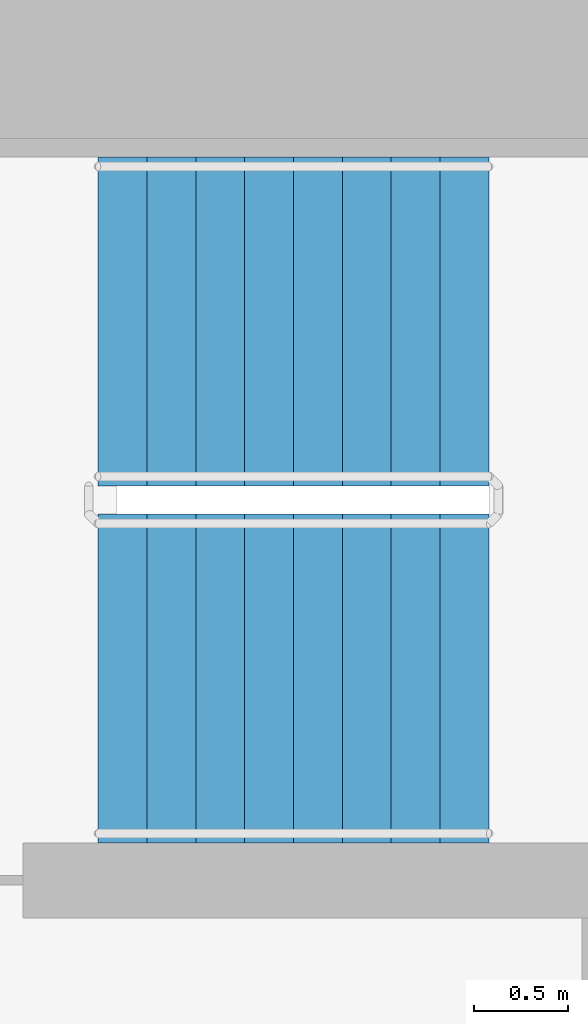
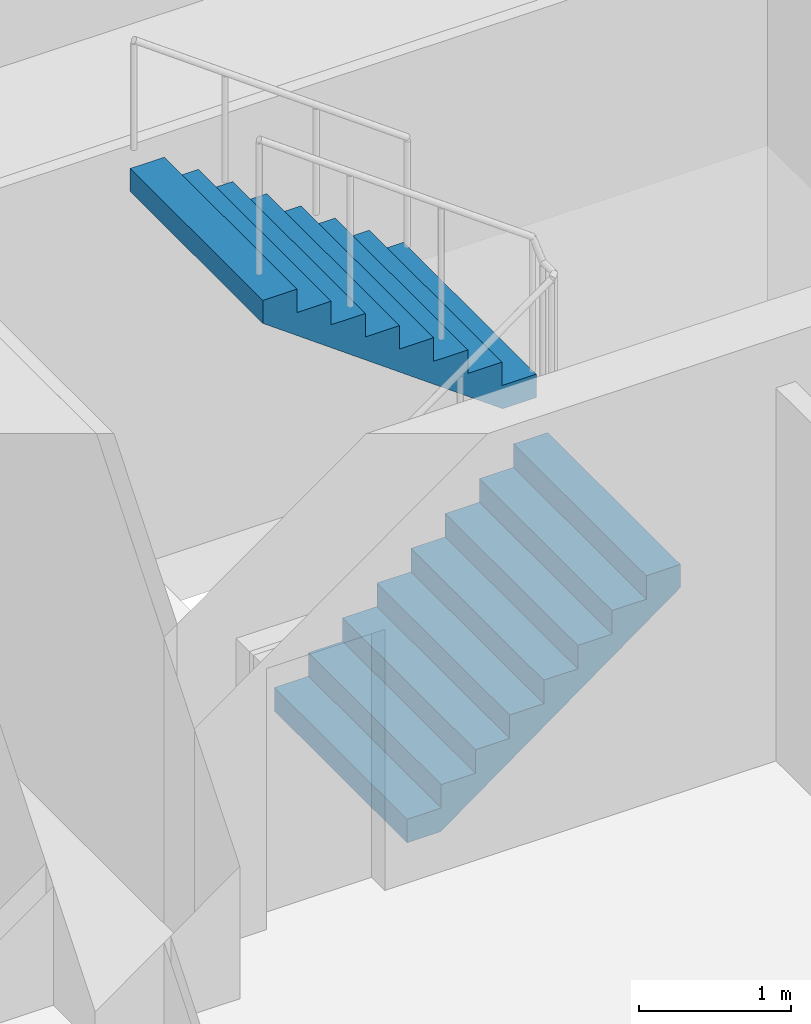
# One storey, part 19 of 24: 2 stair flights, 1 element without a shape of its own.
"""IFC4 building model written with IfcOpenShell, lengths in metres."""

from ifc_helpers import new_model, si_unit, direction, frame, origin, place, context, subcontext, project, spatial, faceted_brep, material, type_object, element, aggregate, save


model = new_model("IFC4")

# Units and contexts
model_context = context("Model", 3, precision=1e-05, world=origin(), true_north=direction((0.0, 1.0)))
body_context = subcontext(model_context, "Body", "Model", "MODEL_VIEW")
ifc_project = project(units=[si_unit("LENGTHUNIT", "METRE"), si_unit("AREAUNIT", "SQUARE_METRE"), si_unit("VOLUMEUNIT", "CUBIC_METRE"), si_unit("PLANEANGLEUNIT", "RADIAN"), si_unit("MASSUNIT", "GRAM", prefix="KILO")], contexts=[model_context])

# Site, building, storey
site_placement = place(None, origin())
site = spatial("IfcSite", under=ifc_project, at=site_placement, CompositionType="ELEMENT")
building_placement = place(site_placement, origin())
building = spatial("IfcBuilding", under=site, at=building_placement, Name="Ipe Terrace Towers", CompositionType="ELEMENT")
storey_placement = place(building_placement, frame((0.0, 0.0, 38.10009765625)))
storey = spatial("IfcBuildingStorey", under=building, at=storey_placement, Name="L09", CompositionType="ELEMENT", Elevation=38.10009765625)

# Stair, stair flights
ifc_material_1 = material(Name="Concrete C30/37", Category="concrete")
stair_type = type_object("IfcStairType", Name="Protected exit stair", PredefinedType="HALF_TURN_STAIR", material=ifc_material_1)
stair_placement = place(storey_placement, origin())
stair = element("IfcStair", 1, at=stair_placement, inside=storey, type_object=stair_type, Name="L09 Exit stair T1-C1", PredefinedType="HALF_TURN_STAIR")
ifc_material_2 = material(Name="Concrete C30/37", Category="concrete")
stair_flight_type = type_object("IfcStairFlightType", Name="Exit stair flight 1750", PredefinedType="STRAIGHT", material=ifc_material_2)
stair_flight_1_placement = place(storey_placement, frame((-26.300048828125, 2.77490234375, 0.0), z_axis=(0.0, 0.0, 1.0), x_axis=(1.0, 0.0, 0.0)))
stair_flight_1 = element("IfcStairFlight", 2, at=stair_flight_1_placement, type_object=stair_flight_type, Name="T1-ST1 flight 1", NumberOfRisers=9, NumberOfTreads=8, PredefinedType="STRAIGHT", RiserHeight=0.188888889, TreadLength=0.26, context=body_context, shape_type="Brep", body=[
    faceted_brep([(0.255126953125, -0.875, 0.0), (2.080078125, -0.875, 1.325927734375), (2.080078125, -0.875, 1.51123046875), (1.820068359375, -0.875, 1.51123046875), (1.820068359375, -0.875, 1.322265625), (1.56005859375, -0.875, 1.322265625), (1.56005859375, -0.875, 1.13330078125), (1.300048828125, -0.875, 1.13330078125), (1.300048828125, -0.875, 0.9443359375), (1.0400390625, -0.875, 0.9443359375), (1.0400390625, -0.875, 0.755615234375), (0.780029296875, -0.875, 0.755615234375), (0.780029296875, -0.875, 0.566650390625), (0.52001953125, -0.875, 0.566650390625), (0.52001953125, -0.875, 0.377685546875), (0.260009765625, -0.875, 0.377685546875), (0.260009765625, -0.875, 0.18896484375), (0.0, -0.875, 0.18896484375), (0.0, -0.875, 0.0), (0.0, 0.875, 0.0), (0.0, 0.875, 0.18896484375), (0.260009765625, 0.875, 0.18896484375), (0.260009765625, 0.875, 0.377685546875), (0.52001953125, 0.875, 0.377685546875), (0.52001953125, 0.875, 0.566650390625), (0.780029296875, 0.875, 0.566650390625), (0.780029296875, 0.875, 0.755615234375), (1.0400390625, 0.875, 0.755615234375), (1.0400390625, 0.875, 0.9443359375), (1.300048828125, 0.875, 0.9443359375), (1.300048828125, 0.875, 1.13330078125), (1.56005859375, 0.875, 1.13330078125), (1.56005859375, 0.875, 1.322265625), (1.820068359375, 0.875, 1.322265625), (1.820068359375, 0.875, 1.51123046875), (2.080078125, 0.875, 1.51123046875), (2.080078125, 0.875, 1.325927734375), (0.255126953125, 0.875, 0.0), (0.0, -0.300048828125, 0.18896484375), (0.0, -0.1201171875, 0.18896484375), (0.0, -0.06005859375, 0.18896484375), (0.0, -0.030029296875, 0.18896484375), (0.0, -0.010009765625, 0.18896484375), (0.0, 0.0, 0.18896484375), (0.0, 0.010009765625, 0.18896484375), (0.0, 0.030029296875, 0.18896484375), (0.0, 0.06005859375, 0.18896484375), (0.0, 0.1201171875, 0.18896484375), (0.0, 0.300048828125, 0.18896484375), (0.0, 0.300048828125, 0.0), (0.0, 0.1201171875, 0.0), (0.0, 0.06005859375, 0.0), (0.0, 0.030029296875, 0.0), (0.0, 0.010009765625, 0.0), (0.0, 0.0, 0.0), (0.0, -0.010009765625, 0.0), (0.0, -0.030029296875, 0.0), (0.0, -0.06005859375, 0.0), (0.0, -0.1201171875, 0.0), (0.0, -0.300048828125, 0.0), (0.260009765625, -0.300048828125, 0.18896484375), (0.260009765625, -0.1201171875, 0.18896484375), (0.260009765625, -0.06005859375, 0.18896484375), (0.260009765625, -0.030029296875, 0.18896484375), (0.260009765625, -0.010009765625, 0.18896484375), (0.260009765625, 0.0, 0.18896484375), (0.260009765625, 0.010009765625, 0.18896484375), (0.260009765625, 0.030029296875, 0.18896484375), (0.260009765625, 0.06005859375, 0.18896484375), (0.260009765625, 0.1201171875, 0.18896484375), (0.260009765625, 0.300048828125, 0.18896484375), (0.260009765625, -0.300048828125, 0.377685546875), (0.260009765625, -0.1201171875, 0.377685546875), (0.260009765625, -0.06005859375, 0.377685546875), (0.260009765625, -0.030029296875, 0.377685546875), (0.260009765625, -0.010009765625, 0.377685546875), (0.260009765625, 0.0, 0.377685546875), (0.260009765625, 0.010009765625, 0.377685546875), (0.260009765625, 0.030029296875, 0.377685546875), (0.260009765625, 0.06005859375, 0.377685546875), (0.260009765625, 0.1201171875, 0.377685546875), (0.260009765625, 0.300048828125, 0.377685546875), (0.52001953125, -0.300048828125, 0.377685546875), (0.52001953125, -0.1201171875, 0.377685546875), (0.52001953125, -0.06005859375, 0.377685546875), (0.52001953125, -0.030029296875, 0.377685546875), (0.52001953125, -0.010009765625, 0.377685546875), (0.52001953125, 0.0, 0.377685546875), (0.52001953125, 0.010009765625, 0.377685546875), (0.52001953125, 0.030029296875, 0.377685546875), (0.52001953125, 0.06005859375, 0.377685546875), (0.52001953125, 0.1201171875, 0.377685546875), (0.52001953125, 0.300048828125, 0.377685546875), (0.52001953125, -0.300048828125, 0.566650390625), (0.52001953125, -0.1201171875, 0.566650390625), (0.52001953125, -0.06005859375, 0.566650390625), (0.52001953125, -0.030029296875, 0.566650390625), (0.52001953125, -0.010009765625, 0.566650390625), (0.52001953125, 0.0, 0.566650390625), (0.52001953125, 0.010009765625, 0.566650390625), (0.52001953125, 0.030029296875, 0.566650390625), (0.52001953125, 0.06005859375, 0.566650390625), (0.52001953125, 0.1201171875, 0.566650390625), (0.52001953125, 0.300048828125, 0.566650390625), (0.780029296875, -0.300048828125, 0.566650390625), (0.780029296875, -0.1201171875, 0.566650390625), (0.780029296875, -0.06005859375, 0.566650390625), (0.780029296875, -0.030029296875, 0.566650390625), (0.780029296875, -0.010009765625, 0.566650390625), (0.780029296875, 0.0, 0.566650390625), (0.780029296875, 0.010009765625, 0.566650390625), (0.780029296875, 0.030029296875, 0.566650390625), (0.780029296875, 0.06005859375, 0.566650390625), (0.780029296875, 0.1201171875, 0.566650390625), (0.780029296875, 0.300048828125, 0.566650390625), (0.780029296875, -0.300048828125, 0.755615234375), (0.780029296875, -0.1201171875, 0.755615234375), (0.780029296875, -0.06005859375, 0.755615234375), (0.780029296875, -0.030029296875, 0.755615234375), (0.780029296875, -0.010009765625, 0.755615234375), (0.780029296875, 0.0, 0.755615234375), (0.780029296875, 0.010009765625, 0.755615234375), (0.780029296875, 0.030029296875, 0.755615234375), (0.780029296875, 0.06005859375, 0.755615234375), (0.780029296875, 0.1201171875, 0.755615234375), (0.780029296875, 0.300048828125, 0.755615234375), (1.0400390625, -0.300048828125, 0.755615234375), (1.0400390625, -0.1201171875, 0.755615234375), (1.0400390625, -0.06005859375, 0.755615234375), (1.0400390625, -0.030029296875, 0.755615234375), (1.0400390625, -0.010009765625, 0.755615234375), (1.0400390625, 0.0, 0.755615234375), (1.0400390625, 0.010009765625, 0.755615234375), (1.0400390625, 0.030029296875, 0.755615234375), (1.0400390625, 0.06005859375, 0.755615234375), (1.0400390625, 0.1201171875, 0.755615234375), (1.0400390625, 0.300048828125, 0.755615234375), (1.0400390625, -0.300048828125, 0.9443359375), (1.0400390625, -0.1201171875, 0.9443359375), (1.0400390625, -0.06005859375, 0.9443359375), (1.0400390625, -0.030029296875, 0.9443359375), (1.0400390625, -0.010009765625, 0.9443359375), (1.0400390625, 0.0, 0.9443359375), (1.0400390625, 0.010009765625, 0.9443359375), (1.0400390625, 0.030029296875, 0.9443359375), (1.0400390625, 0.06005859375, 0.9443359375), (1.0400390625, 0.1201171875, 0.9443359375), (1.0400390625, 0.300048828125, 0.9443359375), (1.300048828125, -0.300048828125, 0.9443359375), (1.300048828125, -0.1201171875, 0.9443359375), (1.300048828125, -0.06005859375, 0.9443359375), (1.300048828125, -0.030029296875, 0.9443359375), (1.300048828125, -0.010009765625, 0.9443359375), (1.300048828125, 0.0, 0.9443359375), (1.300048828125, 0.010009765625, 0.9443359375), (1.300048828125, 0.030029296875, 0.9443359375), (1.300048828125, 0.06005859375, 0.9443359375), (1.300048828125, 0.1201171875, 0.9443359375), (1.300048828125, 0.300048828125, 0.9443359375), (1.300048828125, -0.300048828125, 1.13330078125), (1.300048828125, -0.1201171875, 1.13330078125), (1.300048828125, -0.06005859375, 1.13330078125), (1.300048828125, -0.030029296875, 1.13330078125), (1.300048828125, -0.010009765625, 1.13330078125), (1.300048828125, 0.0, 1.13330078125), (1.300048828125, 0.010009765625, 1.13330078125), (1.300048828125, 0.030029296875, 1.13330078125), (1.300048828125, 0.06005859375, 1.13330078125), (1.300048828125, 0.1201171875, 1.13330078125), (1.300048828125, 0.300048828125, 1.13330078125), (1.56005859375, -0.300048828125, 1.13330078125), (1.56005859375, -0.1201171875, 1.13330078125), (1.56005859375, -0.06005859375, 1.13330078125), (1.56005859375, -0.030029296875, 1.13330078125), (1.56005859375, -0.010009765625, 1.13330078125), (1.56005859375, 0.0, 1.13330078125), (1.56005859375, 0.010009765625, 1.13330078125), (1.56005859375, 0.030029296875, 1.13330078125), (1.56005859375, 0.06005859375, 1.13330078125), (1.56005859375, 0.1201171875, 1.13330078125), (1.56005859375, 0.300048828125, 1.13330078125), (1.56005859375, -0.300048828125, 1.322265625), (1.56005859375, -0.1201171875, 1.322265625), (1.56005859375, -0.06005859375, 1.322265625), (1.56005859375, -0.030029296875, 1.322265625), (1.56005859375, -0.010009765625, 1.322265625), (1.56005859375, 0.0, 1.322265625), (1.56005859375, 0.010009765625, 1.322265625), (1.56005859375, 0.030029296875, 1.322265625), (1.56005859375, 0.06005859375, 1.322265625), (1.56005859375, 0.1201171875, 1.322265625), (1.56005859375, 0.300048828125, 1.322265625), (1.820068359375, -0.300048828125, 1.322265625), (1.820068359375, -0.1201171875, 1.322265625), (1.820068359375, -0.06005859375, 1.322265625), (1.820068359375, -0.030029296875, 1.322265625), (1.820068359375, -0.010009765625, 1.322265625), (1.820068359375, 0.0, 1.322265625), (1.820068359375, 0.010009765625, 1.322265625), (1.820068359375, 0.030029296875, 1.322265625), (1.820068359375, 0.06005859375, 1.322265625), (1.820068359375, 0.1201171875, 1.322265625), (1.820068359375, 0.300048828125, 1.322265625), (1.820068359375, -0.300048828125, 1.51123046875), (1.820068359375, -0.1201171875, 1.51123046875), (1.820068359375, -0.06005859375, 1.51123046875), (1.820068359375, -0.030029296875, 1.51123046875), (1.820068359375, -0.010009765625, 1.51123046875), (1.820068359375, 0.0, 1.51123046875), (1.820068359375, 0.010009765625, 1.51123046875), (1.820068359375, 0.030029296875, 1.51123046875), (1.820068359375, 0.06005859375, 1.51123046875), (1.820068359375, 0.1201171875, 1.51123046875), (1.820068359375, 0.300048828125, 1.51123046875), (2.080078125, -0.300048828125, 1.51123046875), (2.080078125, -0.1201171875, 1.51123046875), (2.080078125, -0.06005859375, 1.51123046875), (2.080078125, -0.030029296875, 1.51123046875), (2.080078125, -0.010009765625, 1.51123046875), (2.080078125, 0.0, 1.51123046875), (2.080078125, 0.010009765625, 1.51123046875), (2.080078125, 0.030029296875, 1.51123046875), (2.080078125, 0.06005859375, 1.51123046875), (2.080078125, 0.1201171875, 1.51123046875), (2.080078125, 0.300048828125, 1.51123046875), (2.080078125, -0.300048828125, 1.325927734375), (2.080078125, -0.1201171875, 1.325927734375), (2.080078125, -0.06005859375, 1.325927734375), (2.080078125, -0.030029296875, 1.325927734375), (2.080078125, -0.010009765625, 1.325927734375), (2.080078125, 0.0, 1.325927734375), (2.080078125, 0.010009765625, 1.325927734375), (2.080078125, 0.030029296875, 1.325927734375), (2.080078125, 0.06005859375, 1.325927734375), (2.080078125, 0.1201171875, 1.325927734375), (2.080078125, 0.300048828125, 1.325927734375), (0.255126953125, -0.300048828125, 0.0), (0.255126953125, -0.1201171875, 0.0), (0.255126953125, -0.06005859375, 0.0), (0.255126953125, -0.030029296875, 0.0), (0.255126953125, -0.010009765625, 0.0), (0.255126953125, 0.0, 0.0), (0.255126953125, 0.010009765625, 0.0), (0.255126953125, 0.030029296875, 0.0), (0.255126953125, 0.06005859375, 0.0), (0.255126953125, 0.1201171875, 0.0), (0.255126953125, 0.300048828125, 0.0)], [[[0, 1, 2, 3, 4, 5, 6, 7, 8, 9, 10, 11, 12, 13, 14, 15, 16, 17, 18]], [[19, 20, 21, 22, 23, 24, 25, 26, 27, 28, 29, 30, 31, 32, 33, 34, 35, 36, 37]], [[17, 38, 39, 40, 41, 42, 43, 44, 45, 46, 47, 48, 20, 19, 49, 50, 51, 52, 53, 54, 55, 56, 57, 58, 59, 18]], [[16, 60, 61, 62, 63, 64, 65, 66, 67, 68, 69, 70, 21, 20, 48, 47, 46, 45, 44, 43, 42, 41, 40, 39, 38, 17]], [[15, 71, 72, 73, 74, 75, 76, 77, 78, 79, 80, 81, 22, 21, 70, 69, 68, 67, 66, 65, 64, 63, 62, 61, 60, 16]], [[14, 82, 83, 84, 85, 86, 87, 88, 89, 90, 91, 92, 23, 22, 81, 80, 79, 78, 77, 76, 75, 74, 73, 72, 71, 15]], [[13, 93, 94, 95, 96, 97, 98, 99, 100, 101, 102, 103, 24, 23, 92, 91, 90, 89, 88, 87, 86, 85, 84, 83, 82, 14]], [[12, 104, 105, 106, 107, 108, 109, 110, 111, 112, 113, 114, 25, 24, 103, 102, 101, 100, 99, 98, 97, 96, 95, 94, 93, 13]], [[11, 115, 116, 117, 118, 119, 120, 121, 122, 123, 124, 125, 26, 25, 114, 113, 112, 111, 110, 109, 108, 107, 106, 105, 104, 12]], [[10, 126, 127, 128, 129, 130, 131, 132, 133, 134, 135, 136, 27, 26, 125, 124, 123, 122, 121, 120, 119, 118, 117, 116, 115, 11]], [[9, 137, 138, 139, 140, 141, 142, 143, 144, 145, 146, 147, 28, 27, 136, 135, 134, 133, 132, 131, 130, 129, 128, 127, 126, 10]], [[8, 148, 149, 150, 151, 152, 153, 154, 155, 156, 157, 158, 29, 28, 147, 146, 145, 144, 143, 142, 141, 140, 139, 138, 137, 9]], [[7, 159, 160, 161, 162, 163, 164, 165, 166, 167, 168, 169, 30, 29, 158, 157, 156, 155, 154, 153, 152, 151, 150, 149, 148, 8]], [[6, 170, 171, 172, 173, 174, 175, 176, 177, 178, 179, 180, 31, 30, 169, 168, 167, 166, 165, 164, 163, 162, 161, 160, 159, 7]], [[5, 181, 182, 183, 184, 185, 186, 187, 188, 189, 190, 191, 32, 31, 180, 179, 178, 177, 176, 175, 174, 173, 172, 171, 170, 6]], [[4, 192, 193, 194, 195, 196, 197, 198, 199, 200, 201, 202, 33, 32, 191, 190, 189, 188, 187, 186, 185, 184, 183, 182, 181, 5]], [[3, 203, 204, 205, 206, 207, 208, 209, 210, 211, 212, 213, 34, 33, 202, 201, 200, 199, 198, 197, 196, 195, 194, 193, 192, 4]], [[2, 214, 215, 216, 217, 218, 219, 220, 221, 222, 223, 224, 35, 34, 213, 212, 211, 210, 209, 208, 207, 206, 205, 204, 203, 3]], [[1, 225, 226, 227, 228, 229, 230, 231, 232, 233, 234, 235, 36, 35, 224, 223, 222, 221, 220, 219, 218, 217, 216, 215, 214, 2]], [[0, 236, 237, 238, 239, 240, 241, 242, 243, 244, 245, 246, 37, 36, 235, 234, 233, 232, 231, 230, 229, 228, 227, 226, 225, 1]], [[18, 59, 58, 57, 56, 55, 54, 53, 52, 51, 50, 49, 19, 37, 246, 245, 244, 243, 242, 241, 240, 239, 238, 237, 236, 0]]]),
])
stair_flight_2_placement = place(storey_placement, frame((-24.219970703125, 4.675048828125, 1.699951171875), z_axis=(0.0, 0.0, 1.0), x_axis=(-1.0, 0.0, 0.0)))
stair_flight_2 = element("IfcStairFlight", 3, at=stair_flight_2_placement, type_object=stair_flight_type, Name="T1-ST1 flight 2", NumberOfRisers=9, NumberOfTreads=8, PredefinedType="STRAIGHT", RiserHeight=0.188888889, TreadLength=0.26, context=body_context, shape_type="Brep", body=[
    faceted_brep([(0.255126953125, -0.875, 0.0), (2.080078125, -0.875, 1.325927734375), (2.080078125, -0.875, 1.51123046875), (1.820068359375, -0.875, 1.51123046875), (1.820068359375, -0.875, 1.322265625), (1.56005859375, -0.875, 1.322265625), (1.56005859375, -0.875, 1.13330078125), (1.300048828125, -0.875, 1.13330078125), (1.300048828125, -0.875, 0.9443359375), (1.0400390625, -0.875, 0.9443359375), (1.0400390625, -0.875, 0.755615234375), (0.780029296875, -0.875, 0.755615234375), (0.780029296875, -0.875, 0.566650390625), (0.52001953125, -0.875, 0.566650390625), (0.52001953125, -0.875, 0.377685546875), (0.260009765625, -0.875, 0.377685546875), (0.260009765625, -0.875, 0.18896484375), (0.0, -0.875, 0.18896484375), (0.0, -0.875, 0.0), (0.0, 0.875, 0.0), (0.0, 0.875, 0.18896484375), (0.260009765625, 0.875, 0.18896484375), (0.260009765625, 0.875, 0.377685546875), (0.52001953125, 0.875, 0.377685546875), (0.52001953125, 0.875, 0.566650390625), (0.780029296875, 0.875, 0.566650390625), (0.780029296875, 0.875, 0.755615234375), (1.0400390625, 0.875, 0.755615234375), (1.0400390625, 0.875, 0.9443359375), (1.300048828125, 0.875, 0.9443359375), (1.300048828125, 0.875, 1.13330078125), (1.56005859375, 0.875, 1.13330078125), (1.56005859375, 0.875, 1.322265625), (1.820068359375, 0.875, 1.322265625), (1.820068359375, 0.875, 1.51123046875), (2.080078125, 0.875, 1.51123046875), (2.080078125, 0.875, 1.325927734375), (0.255126953125, 0.875, 0.0), (0.0, -0.300048828125, 0.18896484375), (0.0, -0.1201171875, 0.18896484375), (0.0, -0.06005859375, 0.18896484375), (0.0, -0.030029296875, 0.18896484375), (0.0, -0.010009765625, 0.18896484375), (0.0, 0.0, 0.18896484375), (0.0, 0.010009765625, 0.18896484375), (0.0, 0.030029296875, 0.18896484375), (0.0, 0.06005859375, 0.18896484375), (0.0, 0.1201171875, 0.18896484375), (0.0, 0.300048828125, 0.18896484375), (0.0, 0.300048828125, 0.0), (0.0, 0.1201171875, 0.0), (0.0, 0.06005859375, 0.0), (0.0, 0.030029296875, 0.0), (0.0, 0.010009765625, 0.0), (0.0, 0.0, 0.0), (0.0, -0.010009765625, 0.0), (0.0, -0.030029296875, 0.0), (0.0, -0.06005859375, 0.0), (0.0, -0.1201171875, 0.0), (0.0, -0.300048828125, 0.0), (0.260009765625, -0.300048828125, 0.18896484375), (0.260009765625, -0.1201171875, 0.18896484375), (0.260009765625, -0.06005859375, 0.18896484375), (0.260009765625, -0.030029296875, 0.18896484375), (0.260009765625, -0.010009765625, 0.18896484375), (0.260009765625, 0.0, 0.18896484375), (0.260009765625, 0.010009765625, 0.18896484375), (0.260009765625, 0.030029296875, 0.18896484375), (0.260009765625, 0.06005859375, 0.18896484375), (0.260009765625, 0.1201171875, 0.18896484375), (0.260009765625, 0.300048828125, 0.18896484375), (0.260009765625, -0.300048828125, 0.377685546875), (0.260009765625, -0.1201171875, 0.377685546875), (0.260009765625, -0.06005859375, 0.377685546875), (0.260009765625, -0.030029296875, 0.377685546875), (0.260009765625, -0.010009765625, 0.377685546875), (0.260009765625, 0.0, 0.377685546875), (0.260009765625, 0.010009765625, 0.377685546875), (0.260009765625, 0.030029296875, 0.377685546875), (0.260009765625, 0.06005859375, 0.377685546875), (0.260009765625, 0.1201171875, 0.377685546875), (0.260009765625, 0.300048828125, 0.377685546875), (0.52001953125, -0.300048828125, 0.377685546875), (0.52001953125, -0.1201171875, 0.377685546875), (0.52001953125, -0.06005859375, 0.377685546875), (0.52001953125, -0.030029296875, 0.377685546875), (0.52001953125, -0.010009765625, 0.377685546875), (0.52001953125, 0.0, 0.377685546875), (0.52001953125, 0.010009765625, 0.377685546875), (0.52001953125, 0.030029296875, 0.377685546875), (0.52001953125, 0.06005859375, 0.377685546875), (0.52001953125, 0.1201171875, 0.377685546875), (0.52001953125, 0.300048828125, 0.377685546875), (0.52001953125, -0.300048828125, 0.566650390625), (0.52001953125, -0.1201171875, 0.566650390625), (0.52001953125, -0.06005859375, 0.566650390625), (0.52001953125, -0.030029296875, 0.566650390625), (0.52001953125, -0.010009765625, 0.566650390625), (0.52001953125, 0.0, 0.566650390625), (0.52001953125, 0.010009765625, 0.566650390625), (0.52001953125, 0.030029296875, 0.566650390625), (0.52001953125, 0.06005859375, 0.566650390625), (0.52001953125, 0.1201171875, 0.566650390625), (0.52001953125, 0.300048828125, 0.566650390625), (0.780029296875, -0.300048828125, 0.566650390625), (0.780029296875, -0.1201171875, 0.566650390625), (0.780029296875, -0.06005859375, 0.566650390625), (0.780029296875, -0.030029296875, 0.566650390625), (0.780029296875, -0.010009765625, 0.566650390625), (0.780029296875, 0.0, 0.566650390625), (0.780029296875, 0.010009765625, 0.566650390625), (0.780029296875, 0.030029296875, 0.566650390625), (0.780029296875, 0.06005859375, 0.566650390625), (0.780029296875, 0.1201171875, 0.566650390625), (0.780029296875, 0.300048828125, 0.566650390625), (0.780029296875, -0.300048828125, 0.755615234375), (0.780029296875, -0.1201171875, 0.755615234375), (0.780029296875, -0.06005859375, 0.755615234375), (0.780029296875, -0.030029296875, 0.755615234375), (0.780029296875, -0.010009765625, 0.755615234375), (0.780029296875, 0.0, 0.755615234375), (0.780029296875, 0.010009765625, 0.755615234375), (0.780029296875, 0.030029296875, 0.755615234375), (0.780029296875, 0.06005859375, 0.755615234375), (0.780029296875, 0.1201171875, 0.755615234375), (0.780029296875, 0.300048828125, 0.755615234375), (1.0400390625, -0.300048828125, 0.755615234375), (1.0400390625, -0.1201171875, 0.755615234375), (1.0400390625, -0.06005859375, 0.755615234375), (1.0400390625, -0.030029296875, 0.755615234375), (1.0400390625, -0.010009765625, 0.755615234375), (1.0400390625, 0.0, 0.755615234375), (1.0400390625, 0.010009765625, 0.755615234375), (1.0400390625, 0.030029296875, 0.755615234375), (1.0400390625, 0.06005859375, 0.755615234375), (1.0400390625, 0.1201171875, 0.755615234375), (1.0400390625, 0.300048828125, 0.755615234375), (1.0400390625, -0.300048828125, 0.9443359375), (1.0400390625, -0.1201171875, 0.9443359375), (1.0400390625, -0.06005859375, 0.9443359375), (1.0400390625, -0.030029296875, 0.9443359375), (1.0400390625, -0.010009765625, 0.9443359375), (1.0400390625, 0.0, 0.9443359375), (1.0400390625, 0.010009765625, 0.9443359375), (1.0400390625, 0.030029296875, 0.9443359375), (1.0400390625, 0.06005859375, 0.9443359375), (1.0400390625, 0.1201171875, 0.9443359375), (1.0400390625, 0.300048828125, 0.9443359375), (1.300048828125, -0.300048828125, 0.9443359375), (1.300048828125, -0.1201171875, 0.9443359375), (1.300048828125, -0.06005859375, 0.9443359375), (1.300048828125, -0.030029296875, 0.9443359375), (1.300048828125, -0.010009765625, 0.9443359375), (1.300048828125, 0.0, 0.9443359375), (1.300048828125, 0.010009765625, 0.9443359375), (1.300048828125, 0.030029296875, 0.9443359375), (1.300048828125, 0.06005859375, 0.9443359375), (1.300048828125, 0.1201171875, 0.9443359375), (1.300048828125, 0.300048828125, 0.9443359375), (1.300048828125, -0.300048828125, 1.13330078125), (1.300048828125, -0.1201171875, 1.13330078125), (1.300048828125, -0.06005859375, 1.13330078125), (1.300048828125, -0.030029296875, 1.13330078125), (1.300048828125, -0.010009765625, 1.13330078125), (1.300048828125, 0.0, 1.13330078125), (1.300048828125, 0.010009765625, 1.13330078125), (1.300048828125, 0.030029296875, 1.13330078125), (1.300048828125, 0.06005859375, 1.13330078125), (1.300048828125, 0.1201171875, 1.13330078125), (1.300048828125, 0.300048828125, 1.13330078125), (1.56005859375, -0.300048828125, 1.13330078125), (1.56005859375, -0.1201171875, 1.13330078125), (1.56005859375, -0.06005859375, 1.13330078125), (1.56005859375, -0.030029296875, 1.13330078125), (1.56005859375, -0.010009765625, 1.13330078125), (1.56005859375, 0.0, 1.13330078125), (1.56005859375, 0.010009765625, 1.13330078125), (1.56005859375, 0.030029296875, 1.13330078125), (1.56005859375, 0.06005859375, 1.13330078125), (1.56005859375, 0.1201171875, 1.13330078125), (1.56005859375, 0.300048828125, 1.13330078125), (1.56005859375, -0.300048828125, 1.322265625), (1.56005859375, -0.1201171875, 1.322265625), (1.56005859375, -0.06005859375, 1.322265625), (1.56005859375, -0.030029296875, 1.322265625), (1.56005859375, -0.010009765625, 1.322265625), (1.56005859375, 0.0, 1.322265625), (1.56005859375, 0.010009765625, 1.322265625), (1.56005859375, 0.030029296875, 1.322265625), (1.56005859375, 0.06005859375, 1.322265625), (1.56005859375, 0.1201171875, 1.322265625), (1.56005859375, 0.300048828125, 1.322265625), (1.820068359375, -0.300048828125, 1.322265625), (1.820068359375, -0.1201171875, 1.322265625), (1.820068359375, -0.06005859375, 1.322265625), (1.820068359375, -0.030029296875, 1.322265625), (1.820068359375, -0.010009765625, 1.322265625), (1.820068359375, 0.0, 1.322265625), (1.820068359375, 0.010009765625, 1.322265625), (1.820068359375, 0.030029296875, 1.322265625), (1.820068359375, 0.06005859375, 1.322265625), (1.820068359375, 0.1201171875, 1.322265625), (1.820068359375, 0.300048828125, 1.322265625), (1.820068359375, -0.300048828125, 1.51123046875), (1.820068359375, -0.1201171875, 1.51123046875), (1.820068359375, -0.06005859375, 1.51123046875), (1.820068359375, -0.030029296875, 1.51123046875), (1.820068359375, -0.010009765625, 1.51123046875), (1.820068359375, 0.0, 1.51123046875), (1.820068359375, 0.010009765625, 1.51123046875), (1.820068359375, 0.030029296875, 1.51123046875), (1.820068359375, 0.06005859375, 1.51123046875), (1.820068359375, 0.1201171875, 1.51123046875), (1.820068359375, 0.300048828125, 1.51123046875), (2.080078125, -0.300048828125, 1.51123046875), (2.080078125, -0.1201171875, 1.51123046875), (2.080078125, -0.06005859375, 1.51123046875), (2.080078125, -0.030029296875, 1.51123046875), (2.080078125, -0.010009765625, 1.51123046875), (2.080078125, 0.0, 1.51123046875), (2.080078125, 0.010009765625, 1.51123046875), (2.080078125, 0.030029296875, 1.51123046875), (2.080078125, 0.06005859375, 1.51123046875), (2.080078125, 0.1201171875, 1.51123046875), (2.080078125, 0.300048828125, 1.51123046875), (2.080078125, -0.300048828125, 1.325927734375), (2.080078125, -0.1201171875, 1.325927734375), (2.080078125, -0.06005859375, 1.325927734375), (2.080078125, -0.030029296875, 1.325927734375), (2.080078125, -0.010009765625, 1.325927734375), (2.080078125, 0.0, 1.325927734375), (2.080078125, 0.010009765625, 1.325927734375), (2.080078125, 0.030029296875, 1.325927734375), (2.080078125, 0.06005859375, 1.325927734375), (2.080078125, 0.1201171875, 1.325927734375), (2.080078125, 0.300048828125, 1.325927734375), (0.255126953125, -0.300048828125, 0.0), (0.255126953125, -0.1201171875, 0.0), (0.255126953125, -0.06005859375, 0.0), (0.255126953125, -0.030029296875, 0.0), (0.255126953125, -0.010009765625, 0.0), (0.255126953125, 0.0, 0.0), (0.255126953125, 0.010009765625, 0.0), (0.255126953125, 0.030029296875, 0.0), (0.255126953125, 0.06005859375, 0.0), (0.255126953125, 0.1201171875, 0.0), (0.255126953125, 0.300048828125, 0.0)], [[[0, 1, 2, 3, 4, 5, 6, 7, 8, 9, 10, 11, 12, 13, 14, 15, 16, 17, 18]], [[19, 20, 21, 22, 23, 24, 25, 26, 27, 28, 29, 30, 31, 32, 33, 34, 35, 36, 37]], [[17, 38, 39, 40, 41, 42, 43, 44, 45, 46, 47, 48, 20, 19, 49, 50, 51, 52, 53, 54, 55, 56, 57, 58, 59, 18]], [[16, 60, 61, 62, 63, 64, 65, 66, 67, 68, 69, 70, 21, 20, 48, 47, 46, 45, 44, 43, 42, 41, 40, 39, 38, 17]], [[15, 71, 72, 73, 74, 75, 76, 77, 78, 79, 80, 81, 22, 21, 70, 69, 68, 67, 66, 65, 64, 63, 62, 61, 60, 16]], [[14, 82, 83, 84, 85, 86, 87, 88, 89, 90, 91, 92, 23, 22, 81, 80, 79, 78, 77, 76, 75, 74, 73, 72, 71, 15]], [[13, 93, 94, 95, 96, 97, 98, 99, 100, 101, 102, 103, 24, 23, 92, 91, 90, 89, 88, 87, 86, 85, 84, 83, 82, 14]], [[12, 104, 105, 106, 107, 108, 109, 110, 111, 112, 113, 114, 25, 24, 103, 102, 101, 100, 99, 98, 97, 96, 95, 94, 93, 13]], [[11, 115, 116, 117, 118, 119, 120, 121, 122, 123, 124, 125, 26, 25, 114, 113, 112, 111, 110, 109, 108, 107, 106, 105, 104, 12]], [[10, 126, 127, 128, 129, 130, 131, 132, 133, 134, 135, 136, 27, 26, 125, 124, 123, 122, 121, 120, 119, 118, 117, 116, 115, 11]], [[9, 137, 138, 139, 140, 141, 142, 143, 144, 145, 146, 147, 28, 27, 136, 135, 134, 133, 132, 131, 130, 129, 128, 127, 126, 10]], [[8, 148, 149, 150, 151, 152, 153, 154, 155, 156, 157, 158, 29, 28, 147, 146, 145, 144, 143, 142, 141, 140, 139, 138, 137, 9]], [[7, 159, 160, 161, 162, 163, 164, 165, 166, 167, 168, 169, 30, 29, 158, 157, 156, 155, 154, 153, 152, 151, 150, 149, 148, 8]], [[6, 170, 171, 172, 173, 174, 175, 176, 177, 178, 179, 180, 31, 30, 169, 168, 167, 166, 165, 164, 163, 162, 161, 160, 159, 7]], [[5, 181, 182, 183, 184, 185, 186, 187, 188, 189, 190, 191, 32, 31, 180, 179, 178, 177, 176, 175, 174, 173, 172, 171, 170, 6]], [[4, 192, 193, 194, 195, 196, 197, 198, 199, 200, 201, 202, 33, 32, 191, 190, 189, 188, 187, 186, 185, 184, 183, 182, 181, 5]], [[3, 203, 204, 205, 206, 207, 208, 209, 210, 211, 212, 213, 34, 33, 202, 201, 200, 199, 198, 197, 196, 195, 194, 193, 192, 4]], [[2, 214, 215, 216, 217, 218, 219, 220, 221, 222, 223, 224, 35, 34, 213, 212, 211, 210, 209, 208, 207, 206, 205, 204, 203, 3]], [[1, 225, 226, 227, 228, 229, 230, 231, 232, 233, 234, 235, 36, 35, 224, 223, 222, 221, 220, 219, 218, 217, 216, 215, 214, 2]], [[0, 236, 237, 238, 239, 240, 241, 242, 243, 244, 245, 246, 37, 36, 235, 234, 233, 232, 231, 230, 229, 228, 227, 226, 225, 1]], [[18, 59, 58, 57, 56, 55, 54, 53, 52, 51, 50, 49, 19, 37, 246, 245, 244, 243, 242, 241, 240, 239, 238, 237, 236, 0]]]),
])
aggregate(stair, [stair_flight_1, stair_flight_2])

save(model, "model.ifc")
